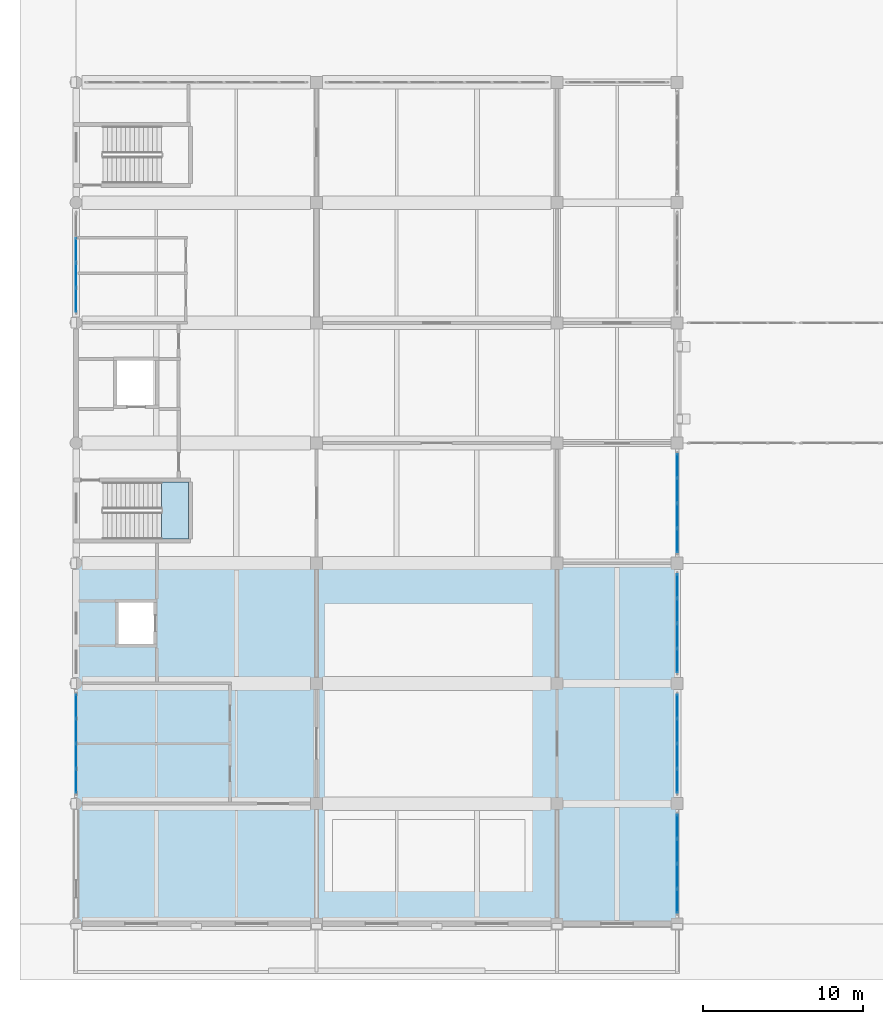
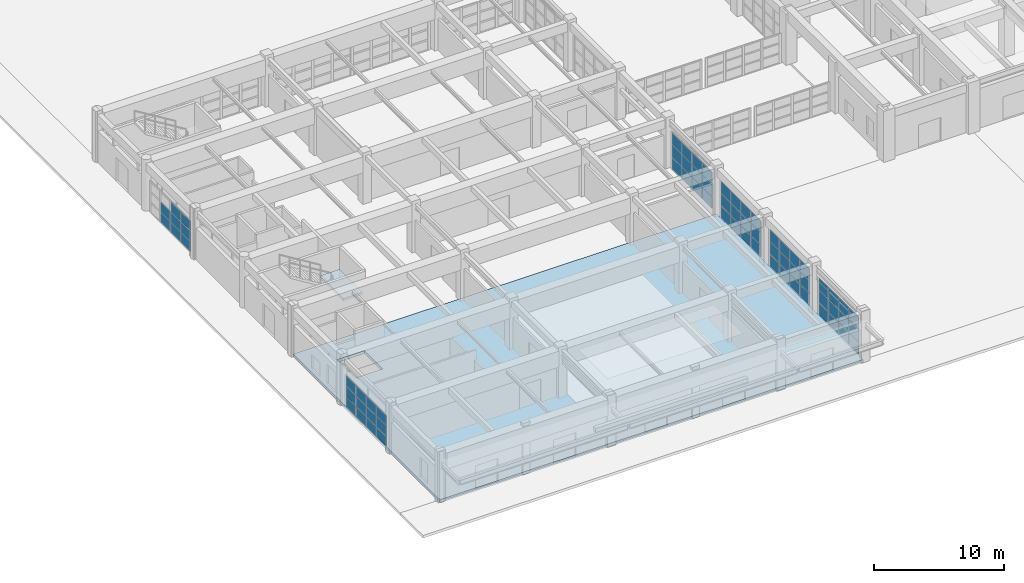
# One storey, part 71 of 122: 68 plates, 2 slabs, 7 elements without a shape of their own.
"""IFC4 building model written with IfcOpenShell, lengths in metres."""

from ifc_helpers import new_model, si_unit, direction, frame, origin, origin_2d, place, context, subcontext, project, spatial, polyline, rectangle, outline, extrude, material, layer, layer_set, type_object, element, aggregate, save


model = new_model("IFC4")

# Units and contexts
model_context = context("Model", 3, precision=1e-05, world=origin(), true_north=direction((0.0, 1.0)))
body_context = subcontext(model_context, "Body", "Model", "MODEL_VIEW")
ifc_project = project(units=[si_unit("LENGTHUNIT", "METRE"), si_unit("AREAUNIT", "SQUARE_METRE"), si_unit("VOLUMEUNIT", "CUBIC_METRE"), si_unit("PLANEANGLEUNIT", "RADIAN"), si_unit("MASSUNIT", "GRAM", prefix="KILO")], contexts=[model_context])

# Site, building, storey
site_placement = place(None, origin())
site = spatial("IfcSite", under=ifc_project, at=site_placement, CompositionType="ELEMENT")
building_placement = place(site_placement, origin())
building = spatial("IfcBuilding", under=site, at=building_placement, Name="Qasida Concert Hall", CompositionType="ELEMENT")
storey_placement = place(building_placement, origin())
storey = spatial("IfcBuildingStorey", under=building, at=storey_placement, Name="L00", CompositionType="ELEMENT", Elevation=0.0)

# Curtain wall, plates
ifc_material_1 = material(Name="Architectural bronze-anodized aluminium and low-E glass", Category="aluminium")
curtain_wall_type = type_object("IfcCurtainWallType", Name="CW-06", PredefinedType="NOTDEFINED", material=ifc_material_1)
curtain_wall_1_placement = place(storey_placement, origin())
curtain_wall_1 = element("IfcCurtainWall", 1, at=curtain_wall_1_placement, inside=storey, type_object=curtain_wall_type, Name="L00 curtain wall CW-06 0073", PredefinedType="NOTDEFINED")
ifc_material_2 = material(Name="Solar-control low-E double glazing", Category="glass")
ifc_layer_1 = layer(ifc_material_2, 0.0400390625, Name="Solar-control low-E double glazing")
ifc_layer_set_1 = layer_set([ifc_layer_1], Name="Solar-control low-E double glazing")
plate_type = type_object("IfcPlateType", Name="PLT-CWP-4", PredefinedType="CURTAIN_PANEL", material=ifc_layer_set_1)
plate_1_placement = place(storey_placement, frame((37.5, 1.419921875, 0.06494140625), z_axis=(0.0, 0.0, 1.0), x_axis=(0.0, 1.0, 0.0)))
plate_1 = element("IfcPlate", 2, at=plate_1_placement, type_object=plate_type, Name="CW-06 panel 1.1", PredefinedType="CURTAIN_PANEL", context=body_context, shape_type="SweptSolid", body=[
    extrude(rectangle(XDim=1.4599609375, YDim=0.0400390625, at=origin_2d()), origin(), (0.0, 0.0, 1.0), 1.109130859375),
])
plate_2_placement = place(storey_placement, frame((37.5, 1.419921875, 1.2392578125), z_axis=(0.0, 0.0, 1.0), x_axis=(0.0, 1.0, 0.0)))
plate_2 = element("IfcPlate", 3, at=plate_2_placement, type_object=plate_type, Name="CW-06 panel 1.2", PredefinedType="CURTAIN_PANEL", context=body_context, shape_type="SweptSolid", body=[
    extrude(rectangle(XDim=1.4599609375, YDim=0.0400390625, at=origin_2d()), origin(), (0.0, 0.0, 1.0), 1.1416015625),
])
plate_3_placement = place(storey_placement, frame((37.5, 1.419921875, 2.44580078125), z_axis=(0.0, 0.0, 1.0), x_axis=(0.0, 1.0, 0.0)))
plate_3 = element("IfcPlate", 4, at=plate_3_placement, type_object=plate_type, Name="CW-06 panel 1.3", PredefinedType="CURTAIN_PANEL", context=body_context, shape_type="SweptSolid", body=[
    extrude(rectangle(XDim=1.4599609375, YDim=0.0400390625, at=origin_2d()), origin(), (0.0, 0.0, 1.0), 1.109130859375),
])
plate_4_placement = place(storey_placement, frame((37.5, 2.967529296875, 0.06494140625), z_axis=(0.0, 0.0, 1.0), x_axis=(0.0, 1.0, 0.0)))
plate_4 = element("IfcPlate", 5, at=plate_4_placement, type_object=plate_type, Name="CW-06 panel 2.1", PredefinedType="CURTAIN_PANEL", context=body_context, shape_type="SweptSolid", body=[
    extrude(rectangle(XDim=1.4951171875, YDim=0.0400390625, at=origin_2d()), origin(), (0.0, 0.0, 1.0), 1.109130859375),
])
plate_5_placement = place(storey_placement, frame((37.5, 2.967529296875, 1.2392578125), z_axis=(0.0, 0.0, 1.0), x_axis=(0.0, 1.0, 0.0)))
plate_5 = element("IfcPlate", 6, at=plate_5_placement, type_object=plate_type, Name="CW-06 panel 2.2", PredefinedType="CURTAIN_PANEL", context=body_context, shape_type="SweptSolid", body=[
    extrude(rectangle(XDim=1.4951171875, YDim=0.0400390625, at=origin_2d()), origin(), (0.0, 0.0, 1.0), 1.1416015625),
])
plate_6_placement = place(storey_placement, frame((37.5, 2.967529296875, 2.44580078125), z_axis=(0.0, 0.0, 1.0), x_axis=(0.0, 1.0, 0.0)))
plate_6 = element("IfcPlate", 7, at=plate_6_placement, type_object=plate_type, Name="CW-06 panel 2.3", PredefinedType="CURTAIN_PANEL", context=body_context, shape_type="SweptSolid", body=[
    extrude(rectangle(XDim=1.4951171875, YDim=0.0400390625, at=origin_2d()), origin(), (0.0, 0.0, 1.0), 1.109130859375),
])
plate_7_placement = place(storey_placement, frame((37.5, 4.532470703125, 0.06494140625), z_axis=(0.0, 0.0, 1.0), x_axis=(0.0, 1.0, 0.0)))
plate_7 = element("IfcPlate", 8, at=plate_7_placement, type_object=plate_type, Name="CW-06 panel 3.1", PredefinedType="CURTAIN_PANEL", context=body_context, shape_type="SweptSolid", body=[
    extrude(rectangle(XDim=1.4951171875, YDim=0.0400390625, at=origin_2d()), origin(), (0.0, 0.0, 1.0), 1.109130859375),
])
plate_8_placement = place(storey_placement, frame((37.5, 4.532470703125, 1.2392578125), z_axis=(0.0, 0.0, 1.0), x_axis=(0.0, 1.0, 0.0)))
plate_8 = element("IfcPlate", 9, at=plate_8_placement, type_object=plate_type, Name="CW-06 panel 3.2", PredefinedType="CURTAIN_PANEL", context=body_context, shape_type="SweptSolid", body=[
    extrude(rectangle(XDim=1.4951171875, YDim=0.0400390625, at=origin_2d()), origin(), (0.0, 0.0, 1.0), 1.1416015625),
])
plate_9_placement = place(storey_placement, frame((37.5, 4.532470703125, 2.44580078125), z_axis=(0.0, 0.0, 1.0), x_axis=(0.0, 1.0, 0.0)))
plate_9 = element("IfcPlate", 10, at=plate_9_placement, type_object=plate_type, Name="CW-06 panel 3.3", PredefinedType="CURTAIN_PANEL", context=body_context, shape_type="SweptSolid", body=[
    extrude(rectangle(XDim=1.4951171875, YDim=0.0400390625, at=origin_2d()), origin(), (0.0, 0.0, 1.0), 1.109130859375),
])
plate_10_placement = place(storey_placement, frame((37.5, 6.080078125, 0.06494140625), z_axis=(0.0, 0.0, 1.0), x_axis=(0.0, 1.0, 0.0)))
plate_10 = element("IfcPlate", 11, at=plate_10_placement, type_object=plate_type, Name="CW-06 panel 4.1", PredefinedType="CURTAIN_PANEL", context=body_context, shape_type="SweptSolid", body=[
    extrude(rectangle(XDim=1.4599609375, YDim=0.0400390625, at=origin_2d()), origin(), (0.0, 0.0, 1.0), 1.109130859375),
])
plate_11_placement = place(storey_placement, frame((37.5, 6.080078125, 1.2392578125), z_axis=(0.0, 0.0, 1.0), x_axis=(0.0, 1.0, 0.0)))
plate_11 = element("IfcPlate", 12, at=plate_11_placement, type_object=plate_type, Name="CW-06 panel 4.2", PredefinedType="CURTAIN_PANEL", context=body_context, shape_type="SweptSolid", body=[
    extrude(rectangle(XDim=1.4599609375, YDim=0.0400390625, at=origin_2d()), origin(), (0.0, 0.0, 1.0), 1.1416015625),
])
plate_12_placement = place(storey_placement, frame((37.5, 6.080078125, 2.44580078125), z_axis=(0.0, 0.0, 1.0), x_axis=(0.0, 1.0, 0.0)))
plate_12 = element("IfcPlate", 13, at=plate_12_placement, type_object=plate_type, Name="CW-06 panel 4.3", PredefinedType="CURTAIN_PANEL", context=body_context, shape_type="SweptSolid", body=[
    extrude(rectangle(XDim=1.4599609375, YDim=0.0400390625, at=origin_2d()), origin(), (0.0, 0.0, 1.0), 1.109130859375),
])
aggregate(curtain_wall_1, [plate_1, plate_2, plate_3, plate_4, plate_5, plate_6, plate_7, plate_8, plate_9, plate_10, plate_11, plate_12])

curtain_wall_2_placement = place(storey_placement, origin())
curtain_wall_2 = element("IfcCurtainWall", 14, at=curtain_wall_2_placement, inside=storey, type_object=curtain_wall_type, Name="L00 curtain wall CW-06 0074", PredefinedType="NOTDEFINED")
plate_13_placement = place(storey_placement, frame((0.0, 8.919921875, 0.06494140625), z_axis=(0.0, 0.0, 1.0), x_axis=(0.0, 1.0, 0.0)))
plate_13 = element("IfcPlate", 15, at=plate_13_placement, type_object=plate_type, Name="CW-06 panel 1.1", PredefinedType="CURTAIN_PANEL", context=body_context, shape_type="SweptSolid", body=[
    extrude(rectangle(XDim=1.4599609375, YDim=0.0400390625, at=origin_2d()), origin(), (0.0, 0.0, 1.0), 0.892578125),
])
plate_14_placement = place(storey_placement, frame((0.0, 8.919921875, 1.0224609375), z_axis=(0.0, 0.0, 1.0), x_axis=(0.0, 1.0, 0.0)))
plate_14 = element("IfcPlate", 16, at=plate_14_placement, type_object=plate_type, Name="CW-06 panel 1.2", PredefinedType="CURTAIN_PANEL", context=body_context, shape_type="SweptSolid", body=[
    extrude(rectangle(XDim=1.4599609375, YDim=0.0400390625, at=origin_2d()), origin(), (0.0, 0.0, 1.0), 0.925048828125),
])
plate_15_placement = place(storey_placement, frame((0.0, 8.919921875, 2.012451171875), z_axis=(0.0, 0.0, 1.0), x_axis=(0.0, 1.0, 0.0)))
plate_15 = element("IfcPlate", 17, at=plate_15_placement, type_object=plate_type, Name="CW-06 panel 1.3", PredefinedType="CURTAIN_PANEL", context=body_context, shape_type="SweptSolid", body=[
    extrude(rectangle(XDim=1.4599609375, YDim=0.0400390625, at=origin_2d()), origin(), (0.0, 0.0, 1.0), 0.892578125),
])
plate_16_placement = place(storey_placement, frame((0.0, 10.467529296875, 0.06494140625), z_axis=(0.0, 0.0, 1.0), x_axis=(0.0, 1.0, 0.0)))
plate_16 = element("IfcPlate", 18, at=plate_16_placement, type_object=plate_type, Name="CW-06 panel 2.1", PredefinedType="CURTAIN_PANEL", context=body_context, shape_type="SweptSolid", body=[
    extrude(rectangle(XDim=1.4951171875, YDim=0.0400390625, at=origin_2d()), origin(), (0.0, 0.0, 1.0), 0.892578125),
])
plate_17_placement = place(storey_placement, frame((0.0, 10.467529296875, 1.0224609375), z_axis=(0.0, 0.0, 1.0), x_axis=(0.0, 1.0, 0.0)))
plate_17 = element("IfcPlate", 19, at=plate_17_placement, type_object=plate_type, Name="CW-06 panel 2.2", PredefinedType="CURTAIN_PANEL", context=body_context, shape_type="SweptSolid", body=[
    extrude(rectangle(XDim=1.4951171875, YDim=0.0400390625, at=origin_2d()), origin(), (0.0, 0.0, 1.0), 0.925048828125),
])
plate_18_placement = place(storey_placement, frame((0.0, 10.467529296875, 2.012451171875), z_axis=(0.0, 0.0, 1.0), x_axis=(0.0, 1.0, 0.0)))
plate_18 = element("IfcPlate", 20, at=plate_18_placement, type_object=plate_type, Name="CW-06 panel 2.3", PredefinedType="CURTAIN_PANEL", context=body_context, shape_type="SweptSolid", body=[
    extrude(rectangle(XDim=1.4951171875, YDim=0.0400390625, at=origin_2d()), origin(), (0.0, 0.0, 1.0), 0.892578125),
])
plate_19_placement = place(storey_placement, frame((0.0, 12.032470703125, 0.06494140625), z_axis=(0.0, 0.0, 1.0), x_axis=(0.0, 1.0, 0.0)))
plate_19 = element("IfcPlate", 21, at=plate_19_placement, type_object=plate_type, Name="CW-06 panel 3.1", PredefinedType="CURTAIN_PANEL", context=body_context, shape_type="SweptSolid", body=[
    extrude(rectangle(XDim=1.4951171875, YDim=0.0400390625, at=origin_2d()), origin(), (0.0, 0.0, 1.0), 0.892578125),
])
plate_20_placement = place(storey_placement, frame((0.0, 12.032470703125, 1.0224609375), z_axis=(0.0, 0.0, 1.0), x_axis=(0.0, 1.0, 0.0)))
plate_20 = element("IfcPlate", 22, at=plate_20_placement, type_object=plate_type, Name="CW-06 panel 3.2", PredefinedType="CURTAIN_PANEL", context=body_context, shape_type="SweptSolid", body=[
    extrude(rectangle(XDim=1.4951171875, YDim=0.0400390625, at=origin_2d()), origin(), (0.0, 0.0, 1.0), 0.925048828125),
])
plate_21_placement = place(storey_placement, frame((0.0, 12.032470703125, 2.012451171875), z_axis=(0.0, 0.0, 1.0), x_axis=(0.0, 1.0, 0.0)))
plate_21 = element("IfcPlate", 23, at=plate_21_placement, type_object=plate_type, Name="CW-06 panel 3.3", PredefinedType="CURTAIN_PANEL", context=body_context, shape_type="SweptSolid", body=[
    extrude(rectangle(XDim=1.4951171875, YDim=0.0400390625, at=origin_2d()), origin(), (0.0, 0.0, 1.0), 0.892578125),
])
plate_22_placement = place(storey_placement, frame((0.0, 13.580078125, 0.06494140625), z_axis=(0.0, 0.0, 1.0), x_axis=(0.0, 1.0, 0.0)))
plate_22 = element("IfcPlate", 24, at=plate_22_placement, type_object=plate_type, Name="CW-06 panel 4.1", PredefinedType="CURTAIN_PANEL", context=body_context, shape_type="SweptSolid", body=[
    extrude(rectangle(XDim=1.4599609375, YDim=0.0400390625, at=origin_2d()), origin(), (0.0, 0.0, 1.0), 0.892578125),
])
plate_23_placement = place(storey_placement, frame((0.0, 13.580078125, 1.0224609375), z_axis=(0.0, 0.0, 1.0), x_axis=(0.0, 1.0, 0.0)))
plate_23 = element("IfcPlate", 25, at=plate_23_placement, type_object=plate_type, Name="CW-06 panel 4.2", PredefinedType="CURTAIN_PANEL", context=body_context, shape_type="SweptSolid", body=[
    extrude(rectangle(XDim=1.4599609375, YDim=0.0400390625, at=origin_2d()), origin(), (0.0, 0.0, 1.0), 0.925048828125),
])
plate_24_placement = place(storey_placement, frame((0.0, 13.580078125, 2.012451171875), z_axis=(0.0, 0.0, 1.0), x_axis=(0.0, 1.0, 0.0)))
plate_24 = element("IfcPlate", 26, at=plate_24_placement, type_object=plate_type, Name="CW-06 panel 4.3", PredefinedType="CURTAIN_PANEL", context=body_context, shape_type="SweptSolid", body=[
    extrude(rectangle(XDim=1.4599609375, YDim=0.0400390625, at=origin_2d()), origin(), (0.0, 0.0, 1.0), 0.892578125),
])
aggregate(curtain_wall_2, [plate_13, plate_14, plate_15, plate_16, plate_17, plate_18, plate_19, plate_20, plate_21, plate_22, plate_23, plate_24])

curtain_wall_3_placement = place(storey_placement, origin())
curtain_wall_3 = element("IfcCurtainWall", 27, at=curtain_wall_3_placement, inside=storey, type_object=curtain_wall_type, Name="L00 curtain wall CW-06 0075", PredefinedType="NOTDEFINED")
plate_25_placement = place(storey_placement, frame((37.5, 8.919921875, 0.06494140625), z_axis=(0.0, 0.0, 1.0), x_axis=(0.0, 1.0, 0.0)))
plate_25 = element("IfcPlate", 28, at=plate_25_placement, type_object=plate_type, Name="CW-06 panel 1.1", PredefinedType="CURTAIN_PANEL", context=body_context, shape_type="SweptSolid", body=[
    extrude(rectangle(XDim=1.4599609375, YDim=0.0400390625, at=origin_2d()), origin(), (0.0, 0.0, 1.0), 1.092529296875),
])
plate_26_placement = place(storey_placement, frame((37.5, 8.919921875, 1.222412109375), z_axis=(0.0, 0.0, 1.0), x_axis=(0.0, 1.0, 0.0)))
plate_26 = element("IfcPlate", 29, at=plate_26_placement, type_object=plate_type, Name="CW-06 panel 1.2", PredefinedType="CURTAIN_PANEL", context=body_context, shape_type="SweptSolid", body=[
    extrude(rectangle(XDim=1.4599609375, YDim=0.0400390625, at=origin_2d()), origin(), (0.0, 0.0, 1.0), 1.125),
])
plate_27_placement = place(storey_placement, frame((37.5, 8.919921875, 2.41259765625), z_axis=(0.0, 0.0, 1.0), x_axis=(0.0, 1.0, 0.0)))
plate_27 = element("IfcPlate", 30, at=plate_27_placement, type_object=plate_type, Name="CW-06 panel 1.3", PredefinedType="CURTAIN_PANEL", context=body_context, shape_type="SweptSolid", body=[
    extrude(rectangle(XDim=1.4599609375, YDim=0.0400390625, at=origin_2d()), origin(), (0.0, 0.0, 1.0), 1.092529296875),
])
plate_28_placement = place(storey_placement, frame((37.5, 10.467529296875, 0.06494140625), z_axis=(0.0, 0.0, 1.0), x_axis=(0.0, 1.0, 0.0)))
plate_28 = element("IfcPlate", 31, at=plate_28_placement, type_object=plate_type, Name="CW-06 panel 2.1", PredefinedType="CURTAIN_PANEL", context=body_context, shape_type="SweptSolid", body=[
    extrude(rectangle(XDim=1.4951171875, YDim=0.0400390625, at=origin_2d()), origin(), (0.0, 0.0, 1.0), 1.092529296875),
])
plate_29_placement = place(storey_placement, frame((37.5, 10.467529296875, 1.222412109375), z_axis=(0.0, 0.0, 1.0), x_axis=(0.0, 1.0, 0.0)))
plate_29 = element("IfcPlate", 32, at=plate_29_placement, type_object=plate_type, Name="CW-06 panel 2.2", PredefinedType="CURTAIN_PANEL", context=body_context, shape_type="SweptSolid", body=[
    extrude(rectangle(XDim=1.4951171875, YDim=0.0400390625, at=origin_2d()), origin(), (0.0, 0.0, 1.0), 1.125),
])
plate_30_placement = place(storey_placement, frame((37.5, 10.467529296875, 2.41259765625), z_axis=(0.0, 0.0, 1.0), x_axis=(0.0, 1.0, 0.0)))
plate_30 = element("IfcPlate", 33, at=plate_30_placement, type_object=plate_type, Name="CW-06 panel 2.3", PredefinedType="CURTAIN_PANEL", context=body_context, shape_type="SweptSolid", body=[
    extrude(rectangle(XDim=1.4951171875, YDim=0.0400390625, at=origin_2d()), origin(), (0.0, 0.0, 1.0), 1.092529296875),
])
plate_31_placement = place(storey_placement, frame((37.5, 12.032470703125, 0.06494140625), z_axis=(0.0, 0.0, 1.0), x_axis=(0.0, 1.0, 0.0)))
plate_31 = element("IfcPlate", 34, at=plate_31_placement, type_object=plate_type, Name="CW-06 panel 3.1", PredefinedType="CURTAIN_PANEL", context=body_context, shape_type="SweptSolid", body=[
    extrude(rectangle(XDim=1.4951171875, YDim=0.0400390625, at=origin_2d()), origin(), (0.0, 0.0, 1.0), 1.092529296875),
])
plate_32_placement = place(storey_placement, frame((37.5, 12.032470703125, 1.222412109375), z_axis=(0.0, 0.0, 1.0), x_axis=(0.0, 1.0, 0.0)))
plate_32 = element("IfcPlate", 35, at=plate_32_placement, type_object=plate_type, Name="CW-06 panel 3.2", PredefinedType="CURTAIN_PANEL", context=body_context, shape_type="SweptSolid", body=[
    extrude(rectangle(XDim=1.4951171875, YDim=0.0400390625, at=origin_2d()), origin(), (0.0, 0.0, 1.0), 1.125),
])
plate_33_placement = place(storey_placement, frame((37.5, 12.032470703125, 2.41259765625), z_axis=(0.0, 0.0, 1.0), x_axis=(0.0, 1.0, 0.0)))
plate_33 = element("IfcPlate", 36, at=plate_33_placement, type_object=plate_type, Name="CW-06 panel 3.3", PredefinedType="CURTAIN_PANEL", context=body_context, shape_type="SweptSolid", body=[
    extrude(rectangle(XDim=1.4951171875, YDim=0.0400390625, at=origin_2d()), origin(), (0.0, 0.0, 1.0), 1.092529296875),
])
plate_34_placement = place(storey_placement, frame((37.5, 13.580078125, 0.06494140625), z_axis=(0.0, 0.0, 1.0), x_axis=(0.0, 1.0, 0.0)))
plate_34 = element("IfcPlate", 37, at=plate_34_placement, type_object=plate_type, Name="CW-06 panel 4.1", PredefinedType="CURTAIN_PANEL", context=body_context, shape_type="SweptSolid", body=[
    extrude(rectangle(XDim=1.4599609375, YDim=0.0400390625, at=origin_2d()), origin(), (0.0, 0.0, 1.0), 1.092529296875),
])
plate_35_placement = place(storey_placement, frame((37.5, 13.580078125, 1.222412109375), z_axis=(0.0, 0.0, 1.0), x_axis=(0.0, 1.0, 0.0)))
plate_35 = element("IfcPlate", 38, at=plate_35_placement, type_object=plate_type, Name="CW-06 panel 4.2", PredefinedType="CURTAIN_PANEL", context=body_context, shape_type="SweptSolid", body=[
    extrude(rectangle(XDim=1.4599609375, YDim=0.0400390625, at=origin_2d()), origin(), (0.0, 0.0, 1.0), 1.125),
])
plate_36_placement = place(storey_placement, frame((37.5, 13.580078125, 2.41259765625), z_axis=(0.0, 0.0, 1.0), x_axis=(0.0, 1.0, 0.0)))
plate_36 = element("IfcPlate", 39, at=plate_36_placement, type_object=plate_type, Name="CW-06 panel 4.3", PredefinedType="CURTAIN_PANEL", context=body_context, shape_type="SweptSolid", body=[
    extrude(rectangle(XDim=1.4599609375, YDim=0.0400390625, at=origin_2d()), origin(), (0.0, 0.0, 1.0), 1.092529296875),
])
aggregate(curtain_wall_3, [plate_25, plate_26, plate_27, plate_28, plate_29, plate_30, plate_31, plate_32, plate_33, plate_34, plate_35, plate_36])

curtain_wall_4_placement = place(storey_placement, origin())
curtain_wall_4 = element("IfcCurtainWall", 40, at=curtain_wall_4_placement, inside=storey, type_object=curtain_wall_type, Name="L00 curtain wall CW-06 0076", PredefinedType="NOTDEFINED")
plate_37_placement = place(storey_placement, frame((37.5, 16.419921875, 0.06494140625), z_axis=(0.0, 0.0, 1.0), x_axis=(0.0, 1.0, 0.0)))
plate_37 = element("IfcPlate", 41, at=plate_37_placement, type_object=plate_type, Name="CW-06 panel 1.1", PredefinedType="CURTAIN_PANEL", context=body_context, shape_type="SweptSolid", body=[
    extrude(rectangle(XDim=1.4599609375, YDim=0.0400390625, at=origin_2d()), origin(), (0.0, 0.0, 1.0), 1.07568359375),
])
plate_38_placement = place(storey_placement, frame((37.5, 16.419921875, 1.205810546875), z_axis=(0.0, 0.0, 1.0), x_axis=(0.0, 1.0, 0.0)))
plate_38 = element("IfcPlate", 42, at=plate_38_placement, type_object=plate_type, Name="CW-06 panel 1.2", PredefinedType="CURTAIN_PANEL", context=body_context, shape_type="SweptSolid", body=[
    extrude(rectangle(XDim=1.4599609375, YDim=0.0400390625, at=origin_2d()), origin(), (0.0, 0.0, 1.0), 1.1083984375),
])
plate_39_placement = place(storey_placement, frame((37.5, 16.419921875, 2.379150390625), z_axis=(0.0, 0.0, 1.0), x_axis=(0.0, 1.0, 0.0)))
plate_39 = element("IfcPlate", 43, at=plate_39_placement, type_object=plate_type, Name="CW-06 panel 1.3", PredefinedType="CURTAIN_PANEL", context=body_context, shape_type="SweptSolid", body=[
    extrude(rectangle(XDim=1.4599609375, YDim=0.0400390625, at=origin_2d()), origin(), (0.0, 0.0, 1.0), 1.07568359375),
])
plate_40_placement = place(storey_placement, frame((37.5, 17.967529296875, 0.06494140625), z_axis=(0.0, 0.0, 1.0), x_axis=(0.0, 1.0, 0.0)))
plate_40 = element("IfcPlate", 44, at=plate_40_placement, type_object=plate_type, Name="CW-06 panel 2.1", PredefinedType="CURTAIN_PANEL", context=body_context, shape_type="SweptSolid", body=[
    extrude(rectangle(XDim=1.4951171875, YDim=0.0400390625, at=origin_2d()), origin(), (0.0, 0.0, 1.0), 1.07568359375),
])
plate_41_placement = place(storey_placement, frame((37.5, 17.967529296875, 1.205810546875), z_axis=(0.0, 0.0, 1.0), x_axis=(0.0, 1.0, 0.0)))
plate_41 = element("IfcPlate", 45, at=plate_41_placement, type_object=plate_type, Name="CW-06 panel 2.2", PredefinedType="CURTAIN_PANEL", context=body_context, shape_type="SweptSolid", body=[
    extrude(rectangle(XDim=1.4951171875, YDim=0.0400390625, at=origin_2d()), origin(), (0.0, 0.0, 1.0), 1.1083984375),
])
plate_42_placement = place(storey_placement, frame((37.5, 17.967529296875, 2.379150390625), z_axis=(0.0, 0.0, 1.0), x_axis=(0.0, 1.0, 0.0)))
plate_42 = element("IfcPlate", 46, at=plate_42_placement, type_object=plate_type, Name="CW-06 panel 2.3", PredefinedType="CURTAIN_PANEL", context=body_context, shape_type="SweptSolid", body=[
    extrude(rectangle(XDim=1.4951171875, YDim=0.0400390625, at=origin_2d()), origin(), (0.0, 0.0, 1.0), 1.07568359375),
])
plate_43_placement = place(storey_placement, frame((37.5, 19.532470703125, 0.06494140625), z_axis=(0.0, 0.0, 1.0), x_axis=(0.0, 1.0, 0.0)))
plate_43 = element("IfcPlate", 47, at=plate_43_placement, type_object=plate_type, Name="CW-06 panel 3.1", PredefinedType="CURTAIN_PANEL", context=body_context, shape_type="SweptSolid", body=[
    extrude(rectangle(XDim=1.4951171875, YDim=0.0400390625, at=origin_2d()), origin(), (0.0, 0.0, 1.0), 1.07568359375),
])
plate_44_placement = place(storey_placement, frame((37.5, 19.532470703125, 1.205810546875), z_axis=(0.0, 0.0, 1.0), x_axis=(0.0, 1.0, 0.0)))
plate_44 = element("IfcPlate", 48, at=plate_44_placement, type_object=plate_type, Name="CW-06 panel 3.2", PredefinedType="CURTAIN_PANEL", context=body_context, shape_type="SweptSolid", body=[
    extrude(rectangle(XDim=1.4951171875, YDim=0.0400390625, at=origin_2d()), origin(), (0.0, 0.0, 1.0), 1.1083984375),
])
plate_45_placement = place(storey_placement, frame((37.5, 19.532470703125, 2.379150390625), z_axis=(0.0, 0.0, 1.0), x_axis=(0.0, 1.0, 0.0)))
plate_45 = element("IfcPlate", 49, at=plate_45_placement, type_object=plate_type, Name="CW-06 panel 3.3", PredefinedType="CURTAIN_PANEL", context=body_context, shape_type="SweptSolid", body=[
    extrude(rectangle(XDim=1.4951171875, YDim=0.0400390625, at=origin_2d()), origin(), (0.0, 0.0, 1.0), 1.07568359375),
])
plate_46_placement = place(storey_placement, frame((37.5, 21.080078125, 0.06494140625), z_axis=(0.0, 0.0, 1.0), x_axis=(0.0, 1.0, 0.0)))
plate_46 = element("IfcPlate", 50, at=plate_46_placement, type_object=plate_type, Name="CW-06 panel 4.1", PredefinedType="CURTAIN_PANEL", context=body_context, shape_type="SweptSolid", body=[
    extrude(rectangle(XDim=1.4599609375, YDim=0.0400390625, at=origin_2d()), origin(), (0.0, 0.0, 1.0), 1.07568359375),
])
plate_47_placement = place(storey_placement, frame((37.5, 21.080078125, 1.205810546875), z_axis=(0.0, 0.0, 1.0), x_axis=(0.0, 1.0, 0.0)))
plate_47 = element("IfcPlate", 51, at=plate_47_placement, type_object=plate_type, Name="CW-06 panel 4.2", PredefinedType="CURTAIN_PANEL", context=body_context, shape_type="SweptSolid", body=[
    extrude(rectangle(XDim=1.4599609375, YDim=0.0400390625, at=origin_2d()), origin(), (0.0, 0.0, 1.0), 1.1083984375),
])
plate_48_placement = place(storey_placement, frame((37.5, 21.080078125, 2.379150390625), z_axis=(0.0, 0.0, 1.0), x_axis=(0.0, 1.0, 0.0)))
plate_48 = element("IfcPlate", 52, at=plate_48_placement, type_object=plate_type, Name="CW-06 panel 4.3", PredefinedType="CURTAIN_PANEL", context=body_context, shape_type="SweptSolid", body=[
    extrude(rectangle(XDim=1.4599609375, YDim=0.0400390625, at=origin_2d()), origin(), (0.0, 0.0, 1.0), 1.07568359375),
])
aggregate(curtain_wall_4, [plate_37, plate_38, plate_39, plate_40, plate_41, plate_42, plate_43, plate_44, plate_45, plate_46, plate_47, plate_48])

curtain_wall_5_placement = place(storey_placement, origin())
curtain_wall_5 = element("IfcCurtainWall", 53, at=curtain_wall_5_placement, inside=storey, type_object=curtain_wall_type, Name="L00 curtain wall CW-06 0077", PredefinedType="NOTDEFINED")
plate_49_placement = place(storey_placement, frame((37.5, 23.919921875, 0.06494140625), z_axis=(0.0, 0.0, 1.0), x_axis=(0.0, 1.0, 0.0)))
plate_49 = element("IfcPlate", 54, at=plate_49_placement, type_object=plate_type, Name="CW-06 panel 1.1", PredefinedType="CURTAIN_PANEL", context=body_context, shape_type="SweptSolid", body=[
    extrude(rectangle(XDim=1.4599609375, YDim=0.0400390625, at=origin_2d()), origin(), (0.0, 0.0, 1.0), 1.07568359375),
])
plate_50_placement = place(storey_placement, frame((37.5, 23.919921875, 1.205810546875), z_axis=(0.0, 0.0, 1.0), x_axis=(0.0, 1.0, 0.0)))
plate_50 = element("IfcPlate", 55, at=plate_50_placement, type_object=plate_type, Name="CW-06 panel 1.2", PredefinedType="CURTAIN_PANEL", context=body_context, shape_type="SweptSolid", body=[
    extrude(rectangle(XDim=1.4599609375, YDim=0.0400390625, at=origin_2d()), origin(), (0.0, 0.0, 1.0), 1.1083984375),
])
plate_51_placement = place(storey_placement, frame((37.5, 23.919921875, 2.379150390625), z_axis=(0.0, 0.0, 1.0), x_axis=(0.0, 1.0, 0.0)))
plate_51 = element("IfcPlate", 56, at=plate_51_placement, type_object=plate_type, Name="CW-06 panel 1.3", PredefinedType="CURTAIN_PANEL", context=body_context, shape_type="SweptSolid", body=[
    extrude(rectangle(XDim=1.4599609375, YDim=0.0400390625, at=origin_2d()), origin(), (0.0, 0.0, 1.0), 1.07568359375),
])
plate_52_placement = place(storey_placement, frame((37.5, 25.467529296875, 0.06494140625), z_axis=(0.0, 0.0, 1.0), x_axis=(0.0, 1.0, 0.0)))
plate_52 = element("IfcPlate", 57, at=plate_52_placement, type_object=plate_type, Name="CW-06 panel 2.1", PredefinedType="CURTAIN_PANEL", context=body_context, shape_type="SweptSolid", body=[
    extrude(rectangle(XDim=1.4951171875, YDim=0.0400390625, at=origin_2d()), origin(), (0.0, 0.0, 1.0), 1.07568359375),
])
plate_53_placement = place(storey_placement, frame((37.5, 25.467529296875, 1.205810546875), z_axis=(0.0, 0.0, 1.0), x_axis=(0.0, 1.0, 0.0)))
plate_53 = element("IfcPlate", 58, at=plate_53_placement, type_object=plate_type, Name="CW-06 panel 2.2", PredefinedType="CURTAIN_PANEL", context=body_context, shape_type="SweptSolid", body=[
    extrude(rectangle(XDim=1.4951171875, YDim=0.0400390625, at=origin_2d()), origin(), (0.0, 0.0, 1.0), 1.1083984375),
])
plate_54_placement = place(storey_placement, frame((37.5, 25.467529296875, 2.379150390625), z_axis=(0.0, 0.0, 1.0), x_axis=(0.0, 1.0, 0.0)))
plate_54 = element("IfcPlate", 59, at=plate_54_placement, type_object=plate_type, Name="CW-06 panel 2.3", PredefinedType="CURTAIN_PANEL", context=body_context, shape_type="SweptSolid", body=[
    extrude(rectangle(XDim=1.4951171875, YDim=0.0400390625, at=origin_2d()), origin(), (0.0, 0.0, 1.0), 1.07568359375),
])
plate_55_placement = place(storey_placement, frame((37.5, 27.032470703125, 0.06494140625), z_axis=(0.0, 0.0, 1.0), x_axis=(0.0, 1.0, 0.0)))
plate_55 = element("IfcPlate", 60, at=plate_55_placement, type_object=plate_type, Name="CW-06 panel 3.1", PredefinedType="CURTAIN_PANEL", context=body_context, shape_type="SweptSolid", body=[
    extrude(rectangle(XDim=1.4951171875, YDim=0.0400390625, at=origin_2d()), origin(), (0.0, 0.0, 1.0), 1.07568359375),
])
plate_56_placement = place(storey_placement, frame((37.5, 27.032470703125, 1.205810546875), z_axis=(0.0, 0.0, 1.0), x_axis=(0.0, 1.0, 0.0)))
plate_56 = element("IfcPlate", 61, at=plate_56_placement, type_object=plate_type, Name="CW-06 panel 3.2", PredefinedType="CURTAIN_PANEL", context=body_context, shape_type="SweptSolid", body=[
    extrude(rectangle(XDim=1.4951171875, YDim=0.0400390625, at=origin_2d()), origin(), (0.0, 0.0, 1.0), 1.1083984375),
])
plate_57_placement = place(storey_placement, frame((37.5, 27.032470703125, 2.379150390625), z_axis=(0.0, 0.0, 1.0), x_axis=(0.0, 1.0, 0.0)))
plate_57 = element("IfcPlate", 62, at=plate_57_placement, type_object=plate_type, Name="CW-06 panel 3.3", PredefinedType="CURTAIN_PANEL", context=body_context, shape_type="SweptSolid", body=[
    extrude(rectangle(XDim=1.4951171875, YDim=0.0400390625, at=origin_2d()), origin(), (0.0, 0.0, 1.0), 1.07568359375),
])
plate_58_placement = place(storey_placement, frame((37.5, 28.580078125, 0.06494140625), z_axis=(0.0, 0.0, 1.0), x_axis=(0.0, 1.0, 0.0)))
plate_58 = element("IfcPlate", 63, at=plate_58_placement, type_object=plate_type, Name="CW-06 panel 4.1", PredefinedType="CURTAIN_PANEL", context=body_context, shape_type="SweptSolid", body=[
    extrude(rectangle(XDim=1.4599609375, YDim=0.0400390625, at=origin_2d()), origin(), (0.0, 0.0, 1.0), 1.07568359375),
])
plate_59_placement = place(storey_placement, frame((37.5, 28.580078125, 1.205810546875), z_axis=(0.0, 0.0, 1.0), x_axis=(0.0, 1.0, 0.0)))
plate_59 = element("IfcPlate", 64, at=plate_59_placement, type_object=plate_type, Name="CW-06 panel 4.2", PredefinedType="CURTAIN_PANEL", context=body_context, shape_type="SweptSolid", body=[
    extrude(rectangle(XDim=1.4599609375, YDim=0.0400390625, at=origin_2d()), origin(), (0.0, 0.0, 1.0), 1.1083984375),
])
plate_60_placement = place(storey_placement, frame((37.5, 28.580078125, 2.379150390625), z_axis=(0.0, 0.0, 1.0), x_axis=(0.0, 1.0, 0.0)))
plate_60 = element("IfcPlate", 65, at=plate_60_placement, type_object=plate_type, Name="CW-06 panel 4.3", PredefinedType="CURTAIN_PANEL", context=body_context, shape_type="SweptSolid", body=[
    extrude(rectangle(XDim=1.4599609375, YDim=0.0400390625, at=origin_2d()), origin(), (0.0, 0.0, 1.0), 1.07568359375),
])
aggregate(curtain_wall_5, [plate_49, plate_50, plate_51, plate_52, plate_53, plate_54, plate_55, plate_56, plate_57, plate_58, plate_59, plate_60])

curtain_wall_6_placement = place(storey_placement, origin())
curtain_wall_6 = element("IfcCurtainWall", 66, at=curtain_wall_6_placement, inside=storey, type_object=curtain_wall_type, Name="L00 curtain wall CW-06 0078", PredefinedType="NOTDEFINED")
plate_61_placement = place(storey_placement, frame((0.0, 38.919921875, 0.06494140625), z_axis=(0.0, 0.0, 1.0), x_axis=(0.0, 1.0, 0.0)))
plate_61 = element("IfcPlate", 67, at=plate_61_placement, type_object=plate_type, Name="CW-06 panel 1.1", PredefinedType="CURTAIN_PANEL", context=body_context, shape_type="SweptSolid", body=[
    extrude(rectangle(XDim=1.4599609375, YDim=0.0400390625, at=origin_2d()), origin(), (0.0, 0.0, 1.0), 0.892578125),
])
plate_62_placement = place(storey_placement, frame((0.0, 38.919921875, 1.0224609375), z_axis=(0.0, 0.0, 1.0), x_axis=(0.0, 1.0, 0.0)))
plate_62 = element("IfcPlate", 68, at=plate_62_placement, type_object=plate_type, Name="CW-06 panel 1.2", PredefinedType="CURTAIN_PANEL", context=body_context, shape_type="SweptSolid", body=[
    extrude(rectangle(XDim=1.4599609375, YDim=0.0400390625, at=origin_2d()), origin(), (0.0, 0.0, 1.0), 0.925048828125),
])
plate_63_placement = place(storey_placement, frame((0.0, 38.919921875, 2.012451171875), z_axis=(0.0, 0.0, 1.0), x_axis=(0.0, 1.0, 0.0)))
plate_63 = element("IfcPlate", 69, at=plate_63_placement, type_object=plate_type, Name="CW-06 panel 1.3", PredefinedType="CURTAIN_PANEL", context=body_context, shape_type="SweptSolid", body=[
    extrude(rectangle(XDim=1.4599609375, YDim=0.0400390625, at=origin_2d()), origin(), (0.0, 0.0, 1.0), 0.892578125),
])
plate_64_placement = place(storey_placement, frame((0.0, 40.467529296875, 0.06494140625), z_axis=(0.0, 0.0, 1.0), x_axis=(0.0, 1.0, 0.0)))
plate_64 = element("IfcPlate", 70, at=plate_64_placement, type_object=plate_type, Name="CW-06 panel 2.1", PredefinedType="CURTAIN_PANEL", context=body_context, shape_type="SweptSolid", body=[
    extrude(rectangle(XDim=1.4951171875, YDim=0.0400390625, at=origin_2d()), origin(), (0.0, 0.0, 1.0), 0.892578125),
])
plate_65_placement = place(storey_placement, frame((0.0, 40.467529296875, 1.0224609375), z_axis=(0.0, 0.0, 1.0), x_axis=(0.0, 1.0, 0.0)))
plate_65 = element("IfcPlate", 71, at=plate_65_placement, type_object=plate_type, Name="CW-06 panel 2.2", PredefinedType="CURTAIN_PANEL", context=body_context, shape_type="SweptSolid", body=[
    extrude(rectangle(XDim=1.4951171875, YDim=0.0400390625, at=origin_2d()), origin(), (0.0, 0.0, 1.0), 0.925048828125),
])
plate_66_placement = place(storey_placement, frame((0.0, 40.467529296875, 2.012451171875), z_axis=(0.0, 0.0, 1.0), x_axis=(0.0, 1.0, 0.0)))
plate_66 = element("IfcPlate", 72, at=plate_66_placement, type_object=plate_type, Name="CW-06 panel 2.3", PredefinedType="CURTAIN_PANEL", context=body_context, shape_type="SweptSolid", body=[
    extrude(rectangle(XDim=1.4951171875, YDim=0.0400390625, at=origin_2d()), origin(), (0.0, 0.0, 1.0), 0.892578125),
])
plate_67_placement = place(storey_placement, frame((0.0, 42.032470703125, 0.06494140625), z_axis=(0.0, 0.0, 1.0), x_axis=(0.0, 1.0, 0.0)))
plate_67 = element("IfcPlate", 73, at=plate_67_placement, type_object=plate_type, Name="CW-06 panel 3.1", PredefinedType="CURTAIN_PANEL", context=body_context, shape_type="SweptSolid", body=[
    extrude(rectangle(XDim=1.4951171875, YDim=0.0400390625, at=origin_2d()), origin(), (0.0, 0.0, 1.0), 0.892578125),
])
plate_68_placement = place(storey_placement, frame((0.0, 42.032470703125, 1.0224609375), z_axis=(0.0, 0.0, 1.0), x_axis=(0.0, 1.0, 0.0)))
plate_68 = element("IfcPlate", 74, at=plate_68_placement, type_object=plate_type, Name="CW-06 panel 3.2", PredefinedType="CURTAIN_PANEL", context=body_context, shape_type="SweptSolid", body=[
    extrude(rectangle(XDim=1.4951171875, YDim=0.0400390625, at=origin_2d()), origin(), (0.0, 0.0, 1.0), 0.925048828125),
])
aggregate(curtain_wall_6, [plate_61, plate_62, plate_63, plate_64, plate_65, plate_66, plate_67, plate_68])

# Slab
ifc_material_3 = material(Name="Concrete C40/50", Category="concrete")
ifc_layer_2 = layer(ifc_material_3, 0.280029296875, Name="Concrete C40/50")
ifc_layer_set_2 = layer_set([ifc_layer_2], Name="Concrete C40/50")
slab_type_1 = type_object("IfcSlabType", Name="SL-FS-280", PredefinedType="FLOOR", material=ifc_layer_set_2)
slab_1_placement = place(storey_placement, frame((0.0, 0.0, -0.280029296875)))
element("IfcSlab", 75, at=slab_1_placement, inside=storey, type_object=slab_type_1, Name="V3 grand foyer south (FS-280)", PredefinedType="FLOOR", context=body_context, shape_type="SweptSolid", body=[
    extrude(outline(polyline([(0.0, 0.0), (37.5, 0.0), (37.5, 22.5), (0.0, 22.5), (0.0, 0.0)]), holes=[polyline([(2.550048828125, 17.35009765625), (4.949951171875, 17.35009765625), (4.949951171875, 20.14990234375), (2.550048828125, 20.14990234375), (2.550048828125, 17.35009765625)])]), origin(), (0.0, 0.0, 1.0), 0.280029296875),
])

# Stair, slab
stair_type = type_object("IfcStairType", Name="ST-DL-168", PredefinedType="HALF_TURN_STAIR", material=ifc_material_3)
stair_placement = place(storey_placement, origin())
stair = element("IfcStair", 76, at=stair_placement, inside=storey, type_object=stair_type, Name="L00 Exit stair ST-03", PredefinedType="HALF_TURN_STAIR")
ifc_layer_3 = layer(ifc_material_3, 0.199951171875, Name="Concrete C40/50")
ifc_layer_set_3 = layer_set([ifc_layer_3], Name="Concrete C40/50")
slab_type_2 = type_object("IfcSlabType", Name="SL-LND-200", PredefinedType="LANDING", material=ifc_layer_set_3)
slab_2_placement = place(storey_placement, frame((0.0, 0.0, 2.199951171875)))
slab_2 = element("IfcSlab", 77, at=slab_2_placement, type_object=slab_type_2, Name="ST-03 landing 1", PredefinedType="LANDING", context=body_context, shape_type="SweptSolid", body=[
    extrude(outline(polyline([(5.320068359375, 24.0), (7.02001953125, 24.0), (7.02001953125, 27.56005859375), (5.320068359375, 27.56005859375), (5.320068359375, 24.0)])), origin(), (0.0, 0.0, 1.0), 0.199951171875),
])
aggregate(stair, [slab_2])

save(model, "model.ifc")
